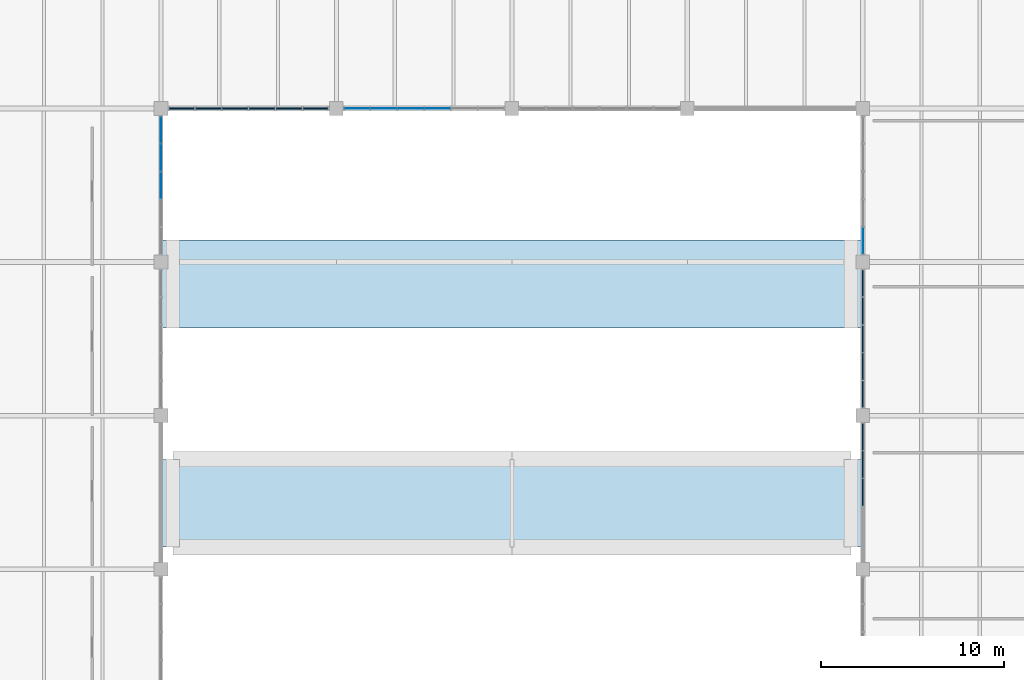
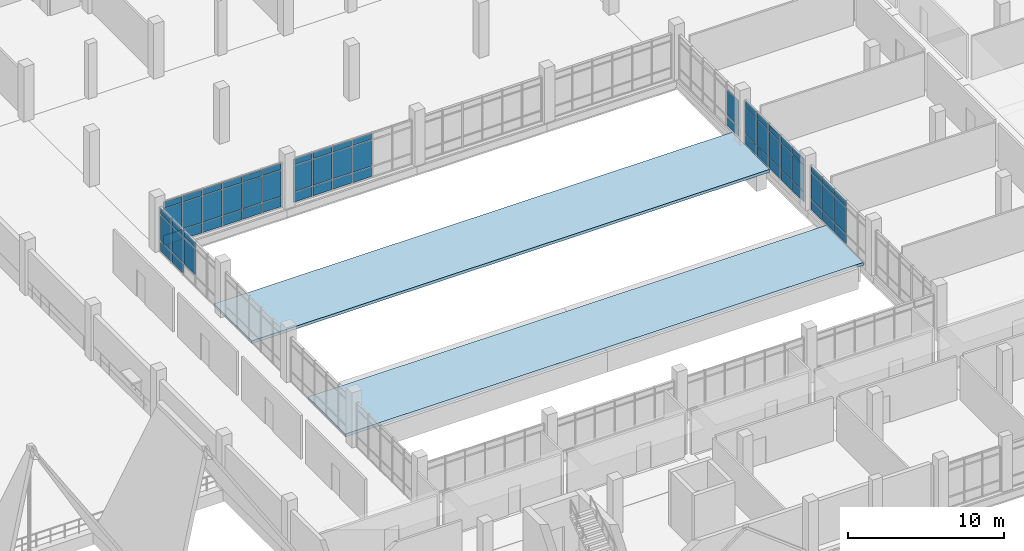
# One storey, part 43 of 86: 64 plates, 2 slabs, 7 elements without a shape of their own.
"""IFC4 building model written with IfcOpenShell, lengths in metres."""

from ifc_helpers import new_model, si_unit, direction, frame, origin, origin_2d, place, context, subcontext, project, spatial, polyline, rectangle, outline, extrude, material, layer, layer_set, type_object, element, aggregate, save


model = new_model("IFC4")

# Units and contexts
model_context = context("Model", 3, precision=1e-05, world=origin(), true_north=direction((0.0, 1.0)))
body_context = subcontext(model_context, "Body", "Model", "MODEL_VIEW")
ifc_project = project(units=[si_unit("LENGTHUNIT", "METRE"), si_unit("AREAUNIT", "SQUARE_METRE"), si_unit("VOLUMEUNIT", "CUBIC_METRE"), si_unit("PLANEANGLEUNIT", "RADIAN"), si_unit("MASSUNIT", "GRAM", prefix="KILO")], contexts=[model_context])

# Site, building, storey
site_placement = place(None, origin())
site = spatial("IfcSite", under=ifc_project, at=site_placement, CompositionType="ELEMENT")
building_placement = place(site_placement, origin())
building = spatial("IfcBuilding", under=site, at=building_placement, Name="Oolite Switchyard Hospital", CompositionType="ELEMENT")
storey_placement = place(building_placement, frame((0.0, 0.0, 13.5)))
storey = spatial("IfcBuildingStorey", under=building, at=storey_placement, Name="L03", CompositionType="ELEMENT", Elevation=13.5)

# Curtain wall, plates
ifc_material_1 = material(Name="Thermally broken aluminum frame with laminated impact glazing", Category="aluminium")
curtain_wall_type_1 = type_object("IfcCurtainWallType", Name="CW-UNIT-84X43", PredefinedType="USERDEFINED", material=ifc_material_1)
curtain_wall_1_placement = place(storey_placement, origin())
curtain_wall_1 = element("IfcCurtainWall", 1, at=curtain_wall_1_placement, inside=storey, type_object=curtain_wall_type_1, Name="L03 Unitised Curtain Wall 345", ObjectType="UNITISED", PredefinedType="USERDEFINED")
ifc_material_2 = material(Name="Insulated fluoropolymer-coated aluminum spandrel panel", Category="aluminium")
ifc_layer_1 = layer(ifc_material_2, 0.054931640625)
ifc_layer_set_1 = layer_set([ifc_layer_1], Name="CW-PNL-SPN55")
plate_type_1 = type_object("IfcPlateType", Name="CW-PNL-SPN55", PredefinedType="CURTAIN_PANEL", material=ifc_layer_set_1)
plate_1_placement = place(storey_placement, frame((182.39990234375, 37.800048828125, 0.0751953125), z_axis=(0.0, 0.0, 1.0), x_axis=(0.0, 1.0, 0.0)))
plate_1 = element("IfcPlate", 2, at=plate_1_placement, type_object=plate_type_1, Name="CW-09 panel 3.1", PredefinedType="CURTAIN_PANEL", context=body_context, shape_type="SweptSolid", body=[
    extrude(rectangle(XDim=1.464111328125, YDim=0.054931640625, at=origin_2d()), origin(), (0.0, 0.0, 1.0), 0.737548828125),
])
plate_2_placement = place(storey_placement, frame((182.39990234375, 37.800048828125, 0.8876953125), z_axis=(0.0, 0.0, 1.0), x_axis=(0.0, 1.0, 0.0)))
plate_2 = element("IfcPlate", 3, at=plate_2_placement, type_object=plate_type_1, Name="CW-09 panel 3.2", PredefinedType="CURTAIN_PANEL", context=body_context, shape_type="SweptSolid", body=[
    extrude(rectangle(XDim=1.464111328125, YDim=0.054931640625, at=origin_2d()), origin(), (0.0, 0.0, 1.0), 2.014892578125),
])
plate_3_placement = place(storey_placement, frame((182.39990234375, 37.800048828125, 2.9775390625), z_axis=(0.0, 0.0, 1.0), x_axis=(0.0, 1.0, 0.0)))
plate_3 = element("IfcPlate", 4, at=plate_3_placement, type_object=plate_type_1, Name="CW-09 panel 3.3", PredefinedType="CURTAIN_PANEL", context=body_context, shape_type="SweptSolid", body=[
    extrude(rectangle(XDim=1.464111328125, YDim=0.054931640625, at=origin_2d()), origin(), (0.0, 0.0, 1.0), 0.4375),
])
plate_4_placement = place(storey_placement, frame((182.39990234375, 39.323974609375, 0.0751953125), z_axis=(0.0, 0.0, 1.0), x_axis=(0.0, 1.0, 0.0)))
plate_4 = element("IfcPlate", 5, at=plate_4_placement, type_object=plate_type_1, Name="CW-09 panel 4.1", PredefinedType="CURTAIN_PANEL", context=body_context, shape_type="SweptSolid", body=[
    extrude(rectangle(XDim=1.464111328125, YDim=0.054931640625, at=origin_2d()), origin(), (0.0, 0.0, 1.0), 0.737548828125),
])
plate_5_placement = place(storey_placement, frame((182.39990234375, 39.323974609375, 0.8876953125), z_axis=(0.0, 0.0, 1.0), x_axis=(0.0, 1.0, 0.0)))
plate_5 = element("IfcPlate", 6, at=plate_5_placement, type_object=plate_type_1, Name="CW-09 panel 4.2", PredefinedType="CURTAIN_PANEL", context=body_context, shape_type="SweptSolid", body=[
    extrude(rectangle(XDim=1.464111328125, YDim=0.054931640625, at=origin_2d()), origin(), (0.0, 0.0, 1.0), 2.014892578125),
])
plate_6_placement = place(storey_placement, frame((182.39990234375, 39.323974609375, 2.9775390625), z_axis=(0.0, 0.0, 1.0), x_axis=(0.0, 1.0, 0.0)))
plate_6 = element("IfcPlate", 7, at=plate_6_placement, type_object=plate_type_1, Name="CW-09 panel 4.3", PredefinedType="CURTAIN_PANEL", context=body_context, shape_type="SweptSolid", body=[
    extrude(rectangle(XDim=1.464111328125, YDim=0.054931640625, at=origin_2d()), origin(), (0.0, 0.0, 1.0), 0.4375),
])
plate_7_placement = place(storey_placement, frame((182.39990234375, 40.8330078125, 0.0751953125), z_axis=(0.0, 0.0, 1.0), x_axis=(0.0, 1.0, 0.0)))
plate_7 = element("IfcPlate", 8, at=plate_7_placement, type_object=plate_type_1, Name="CW-09 panel 5.1", PredefinedType="CURTAIN_PANEL", context=body_context, shape_type="SweptSolid", body=[
    extrude(rectangle(XDim=1.43408203125, YDim=0.054931640625, at=origin_2d()), origin(), (0.0, 0.0, 1.0), 0.737548828125),
])
plate_8_placement = place(storey_placement, frame((182.39990234375, 40.8330078125, 0.8876953125), z_axis=(0.0, 0.0, 1.0), x_axis=(0.0, 1.0, 0.0)))
plate_8 = element("IfcPlate", 9, at=plate_8_placement, type_object=plate_type_1, Name="CW-09 panel 5.2", PredefinedType="CURTAIN_PANEL", context=body_context, shape_type="SweptSolid", body=[
    extrude(rectangle(XDim=1.43408203125, YDim=0.054931640625, at=origin_2d()), origin(), (0.0, 0.0, 1.0), 2.014892578125),
])
plate_9_placement = place(storey_placement, frame((182.39990234375, 40.8330078125, 2.9775390625), z_axis=(0.0, 0.0, 1.0), x_axis=(0.0, 1.0, 0.0)))
plate_9 = element("IfcPlate", 10, at=plate_9_placement, type_object=plate_type_1, Name="CW-09 panel 5.3", PredefinedType="CURTAIN_PANEL", context=body_context, shape_type="SweptSolid", body=[
    extrude(rectangle(XDim=1.43408203125, YDim=0.054931640625, at=origin_2d()), origin(), (0.0, 0.0, 1.0), 0.4375),
])
aggregate(curtain_wall_1, [plate_1, plate_2, plate_3, plate_4, plate_5, plate_6, plate_7, plate_8, plate_9])

curtain_wall_type_2 = type_object("IfcCurtainWallType", Name="CW-UNIT-96X43", PredefinedType="USERDEFINED", material=ifc_material_1)
curtain_wall_2_placement = place(storey_placement, origin())
curtain_wall_2 = element("IfcCurtainWall", 11, at=curtain_wall_2_placement, inside=storey, type_object=curtain_wall_type_2, Name="L03 Unitised Curtain Wall 334", ObjectType="UNITISED", PredefinedType="USERDEFINED")
ifc_layer_2 = layer(ifc_material_2, 0.070068359375)
ifc_layer_set_2 = layer_set([ifc_layer_2], Name="CW-PNL-SPN70")
plate_type_2 = type_object("IfcPlateType", Name="CW-PNL-SPN70", PredefinedType="CURTAIN_PANEL", material=ifc_layer_set_2)
plate_10_placement = place(storey_placement, frame((152.45751953125, 58.800048828125, 0.06005859375), z_axis=(0.0, 0.0, 1.0), x_axis=(-1.0, 0.0, 0.0)))
plate_10 = element("IfcPlate", 12, at=plate_10_placement, type_object=plate_type_2, Name="CW-04 panel 1.1", PredefinedType="CURTAIN_PANEL", context=body_context, shape_type="SweptSolid", body=[
    extrude(rectangle(XDim=1.364990234375, YDim=0.070068359375, at=origin_2d()), origin(), (0.0, 0.0, 1.0), 0.760009765625),
])
plate_11_placement = place(storey_placement, frame((152.45751953125, 58.800048828125, 0.8798828125), z_axis=(0.0, 0.0, 1.0), x_axis=(-1.0, 0.0, 0.0)))
plate_11 = element("IfcPlate", 13, at=plate_11_placement, type_object=plate_type_2, Name="CW-04 panel 1.2", PredefinedType="CURTAIN_PANEL", context=body_context, shape_type="SweptSolid", body=[
    extrude(rectangle(XDim=1.364990234375, YDim=0.070068359375, at=origin_2d()), origin(), (0.0, 0.0, 1.0), 2.030029296875),
])
plate_12_placement = place(storey_placement, frame((152.45751953125, 58.800048828125, 2.969970703125), z_axis=(0.0, 0.0, 1.0), x_axis=(-1.0, 0.0, 0.0)))
plate_12 = element("IfcPlate", 14, at=plate_12_placement, type_object=plate_type_2, Name="CW-04 panel 1.3", PredefinedType="CURTAIN_PANEL", context=body_context, shape_type="SweptSolid", body=[
    extrude(rectangle(XDim=1.364990234375, YDim=0.070068359375, at=origin_2d()), origin(), (0.0, 0.0, 1.0), 0.4599609375),
])
plate_13_placement = place(storey_placement, frame((151.0048828125, 58.800048828125, 0.06005859375), z_axis=(0.0, 0.0, 1.0), x_axis=(-1.0, 0.0, 0.0)))
plate_13 = element("IfcPlate", 15, at=plate_13_placement, type_object=plate_type_2, Name="CW-04 panel 2.1", PredefinedType="CURTAIN_PANEL", context=body_context, shape_type="SweptSolid", body=[
    extrude(rectangle(XDim=1.39990234375, YDim=0.070068359375, at=origin_2d()), origin(), (0.0, 0.0, 1.0), 0.760009765625),
])
plate_14_placement = place(storey_placement, frame((151.0048828125, 58.800048828125, 0.8798828125), z_axis=(0.0, 0.0, 1.0), x_axis=(-1.0, 0.0, 0.0)))
plate_14 = element("IfcPlate", 16, at=plate_14_placement, type_object=plate_type_2, Name="CW-04 panel 2.2", PredefinedType="CURTAIN_PANEL", context=body_context, shape_type="SweptSolid", body=[
    extrude(rectangle(XDim=1.39990234375, YDim=0.070068359375, at=origin_2d()), origin(), (0.0, 0.0, 1.0), 2.030029296875),
])
plate_15_placement = place(storey_placement, frame((151.0048828125, 58.800048828125, 2.969970703125), z_axis=(0.0, 0.0, 1.0), x_axis=(-1.0, 0.0, 0.0)))
plate_15 = element("IfcPlate", 17, at=plate_15_placement, type_object=plate_type_2, Name="CW-04 panel 2.3", PredefinedType="CURTAIN_PANEL", context=body_context, shape_type="SweptSolid", body=[
    extrude(rectangle(XDim=1.39990234375, YDim=0.070068359375, at=origin_2d()), origin(), (0.0, 0.0, 1.0), 0.4599609375),
])
plate_16_placement = place(storey_placement, frame((149.534912109375, 58.800048828125, 0.06005859375), z_axis=(0.0, 0.0, 1.0), x_axis=(-1.0, 0.0, 0.0)))
plate_16 = element("IfcPlate", 18, at=plate_16_placement, type_object=plate_type_2, Name="CW-04 panel 3.1", PredefinedType="CURTAIN_PANEL", context=body_context, shape_type="SweptSolid", body=[
    extrude(rectangle(XDim=1.39990234375, YDim=0.070068359375, at=origin_2d()), origin(), (0.0, 0.0, 1.0), 0.760009765625),
])
plate_17_placement = place(storey_placement, frame((149.534912109375, 58.800048828125, 0.8798828125), z_axis=(0.0, 0.0, 1.0), x_axis=(-1.0, 0.0, 0.0)))
plate_17 = element("IfcPlate", 19, at=plate_17_placement, type_object=plate_type_2, Name="CW-04 panel 3.2", PredefinedType="CURTAIN_PANEL", context=body_context, shape_type="SweptSolid", body=[
    extrude(rectangle(XDim=1.39990234375, YDim=0.070068359375, at=origin_2d()), origin(), (0.0, 0.0, 1.0), 2.030029296875),
])
plate_18_placement = place(storey_placement, frame((149.534912109375, 58.800048828125, 2.969970703125), z_axis=(0.0, 0.0, 1.0), x_axis=(-1.0, 0.0, 0.0)))
plate_18 = element("IfcPlate", 20, at=plate_18_placement, type_object=plate_type_2, Name="CW-04 panel 3.3", PredefinedType="CURTAIN_PANEL", context=body_context, shape_type="SweptSolid", body=[
    extrude(rectangle(XDim=1.39990234375, YDim=0.070068359375, at=origin_2d()), origin(), (0.0, 0.0, 1.0), 0.4599609375),
])
plate_19_placement = place(storey_placement, frame((148.06494140625, 58.800048828125, 0.06005859375), z_axis=(0.0, 0.0, 1.0), x_axis=(-1.0, 0.0, 0.0)))
plate_19 = element("IfcPlate", 21, at=plate_19_placement, type_object=plate_type_2, Name="CW-04 panel 4.1", PredefinedType="CURTAIN_PANEL", context=body_context, shape_type="SweptSolid", body=[
    extrude(rectangle(XDim=1.39990234375, YDim=0.070068359375, at=origin_2d()), origin(), (0.0, 0.0, 1.0), 0.760009765625),
])
plate_20_placement = place(storey_placement, frame((148.06494140625, 58.800048828125, 0.8798828125), z_axis=(0.0, 0.0, 1.0), x_axis=(-1.0, 0.0, 0.0)))
plate_20 = element("IfcPlate", 22, at=plate_20_placement, type_object=plate_type_2, Name="CW-04 panel 4.2", PredefinedType="CURTAIN_PANEL", context=body_context, shape_type="SweptSolid", body=[
    extrude(rectangle(XDim=1.39990234375, YDim=0.070068359375, at=origin_2d()), origin(), (0.0, 0.0, 1.0), 2.030029296875),
])
plate_21_placement = place(storey_placement, frame((148.06494140625, 58.800048828125, 2.969970703125), z_axis=(0.0, 0.0, 1.0), x_axis=(-1.0, 0.0, 0.0)))
plate_21 = element("IfcPlate", 23, at=plate_21_placement, type_object=plate_type_2, Name="CW-04 panel 4.3", PredefinedType="CURTAIN_PANEL", context=body_context, shape_type="SweptSolid", body=[
    extrude(rectangle(XDim=1.39990234375, YDim=0.070068359375, at=origin_2d()), origin(), (0.0, 0.0, 1.0), 0.4599609375),
])
plate_22_placement = place(storey_placement, frame((146.594970703125, 58.800048828125, 0.06005859375), z_axis=(0.0, 0.0, 1.0), x_axis=(-1.0, 0.0, 0.0)))
plate_22 = element("IfcPlate", 24, at=plate_22_placement, type_object=plate_type_2, Name="CW-04 panel 5.1", PredefinedType="CURTAIN_PANEL", context=body_context, shape_type="SweptSolid", body=[
    extrude(rectangle(XDim=1.39990234375, YDim=0.070068359375, at=origin_2d()), origin(), (0.0, 0.0, 1.0), 0.760009765625),
])
plate_23_placement = place(storey_placement, frame((146.594970703125, 58.800048828125, 0.8798828125), z_axis=(0.0, 0.0, 1.0), x_axis=(-1.0, 0.0, 0.0)))
plate_23 = element("IfcPlate", 25, at=plate_23_placement, type_object=plate_type_2, Name="CW-04 panel 5.2", PredefinedType="CURTAIN_PANEL", context=body_context, shape_type="SweptSolid", body=[
    extrude(rectangle(XDim=1.39990234375, YDim=0.070068359375, at=origin_2d()), origin(), (0.0, 0.0, 1.0), 2.030029296875),
])
plate_24_placement = place(storey_placement, frame((146.594970703125, 58.800048828125, 2.969970703125), z_axis=(0.0, 0.0, 1.0), x_axis=(-1.0, 0.0, 0.0)))
plate_24 = element("IfcPlate", 26, at=plate_24_placement, type_object=plate_type_2, Name="CW-04 panel 5.3", PredefinedType="CURTAIN_PANEL", context=body_context, shape_type="SweptSolid", body=[
    extrude(rectangle(XDim=1.39990234375, YDim=0.070068359375, at=origin_2d()), origin(), (0.0, 0.0, 1.0), 0.4599609375),
])
plate_25_placement = place(storey_placement, frame((145.142578125, 58.800048828125, 0.06005859375), z_axis=(0.0, 0.0, 1.0), x_axis=(-1.0, 0.0, 0.0)))
plate_25 = element("IfcPlate", 27, at=plate_25_placement, type_object=plate_type_2, Name="CW-04 panel 6.1", PredefinedType="CURTAIN_PANEL", context=body_context, shape_type="SweptSolid", body=[
    extrude(rectangle(XDim=1.364990234375, YDim=0.070068359375, at=origin_2d()), origin(), (0.0, 0.0, 1.0), 0.760009765625),
])
plate_26_placement = place(storey_placement, frame((145.142578125, 58.800048828125, 0.8798828125), z_axis=(0.0, 0.0, 1.0), x_axis=(-1.0, 0.0, 0.0)))
plate_26 = element("IfcPlate", 28, at=plate_26_placement, type_object=plate_type_2, Name="CW-04 panel 6.2", PredefinedType="CURTAIN_PANEL", context=body_context, shape_type="SweptSolid", body=[
    extrude(rectangle(XDim=1.364990234375, YDim=0.070068359375, at=origin_2d()), origin(), (0.0, 0.0, 1.0), 2.030029296875),
])
plate_27_placement = place(storey_placement, frame((145.142578125, 58.800048828125, 2.969970703125), z_axis=(0.0, 0.0, 1.0), x_axis=(-1.0, 0.0, 0.0)))
plate_27 = element("IfcPlate", 29, at=plate_27_placement, type_object=plate_type_2, Name="CW-04 panel 6.3", PredefinedType="CURTAIN_PANEL", context=body_context, shape_type="SweptSolid", body=[
    extrude(rectangle(XDim=1.364990234375, YDim=0.070068359375, at=origin_2d()), origin(), (0.0, 0.0, 1.0), 0.4599609375),
])
aggregate(curtain_wall_2, [plate_10, plate_11, plate_12, plate_13, plate_14, plate_15, plate_16, plate_17, plate_18, plate_19, plate_20, plate_21, plate_22, plate_23, plate_24, plate_25, plate_26, plate_27])

curtain_wall_3_placement = place(storey_placement, origin())
curtain_wall_3 = element("IfcCurtainWall", 30, at=curtain_wall_3_placement, inside=storey, type_object=curtain_wall_type_1, Name="L03 Unitised Curtain Wall 346", ObjectType="UNITISED", PredefinedType="USERDEFINED")
plate_28_placement = place(storey_placement, frame((182.39990234375, 43.16943359375, 0.06005859375), z_axis=(0.0, 0.0, 1.0), x_axis=(0.0, 1.0, 0.0)))
plate_28 = element("IfcPlate", 31, at=plate_28_placement, type_object=plate_type_2, Name="CW-09 panel 1.1", PredefinedType="CURTAIN_PANEL", context=body_context, shape_type="SweptSolid", body=[
    extrude(rectangle(XDim=1.4189453125, YDim=0.070068359375, at=origin_2d()), origin(), (0.0, 0.0, 1.0), 0.760009765625),
])
plate_29_placement = place(storey_placement, frame((182.39990234375, 43.16943359375, 0.8798828125), z_axis=(0.0, 0.0, 1.0), x_axis=(0.0, 1.0, 0.0)))
plate_29 = element("IfcPlate", 32, at=plate_29_placement, type_object=plate_type_2, Name="CW-09 panel 1.2", PredefinedType="CURTAIN_PANEL", context=body_context, shape_type="SweptSolid", body=[
    extrude(rectangle(XDim=1.4189453125, YDim=0.070068359375, at=origin_2d()), origin(), (0.0, 0.0, 1.0), 2.030029296875),
])
plate_30_placement = place(storey_placement, frame((182.39990234375, 43.16943359375, 2.969970703125), z_axis=(0.0, 0.0, 1.0), x_axis=(0.0, 1.0, 0.0)))
plate_30 = element("IfcPlate", 33, at=plate_30_placement, type_object=plate_type_2, Name="CW-09 panel 1.3", PredefinedType="CURTAIN_PANEL", context=body_context, shape_type="SweptSolid", body=[
    extrude(rectangle(XDim=1.4189453125, YDim=0.070068359375, at=origin_2d()), origin(), (0.0, 0.0, 1.0), 0.4599609375),
])
plate_31_placement = place(storey_placement, frame((182.39990234375, 44.676025390625, 0.06005859375), z_axis=(0.0, 0.0, 1.0), x_axis=(0.0, 1.0, 0.0)))
plate_31 = element("IfcPlate", 34, at=plate_31_placement, type_object=plate_type_2, Name="CW-09 panel 2.1", PredefinedType="CURTAIN_PANEL", context=body_context, shape_type="SweptSolid", body=[
    extrude(rectangle(XDim=1.4541015625, YDim=0.070068359375, at=origin_2d()), origin(), (0.0, 0.0, 1.0), 0.760009765625),
])
plate_32_placement = place(storey_placement, frame((182.39990234375, 44.676025390625, 0.8798828125), z_axis=(0.0, 0.0, 1.0), x_axis=(0.0, 1.0, 0.0)))
plate_32 = element("IfcPlate", 35, at=plate_32_placement, type_object=plate_type_2, Name="CW-09 panel 2.2", PredefinedType="CURTAIN_PANEL", context=body_context, shape_type="SweptSolid", body=[
    extrude(rectangle(XDim=1.4541015625, YDim=0.070068359375, at=origin_2d()), origin(), (0.0, 0.0, 1.0), 2.030029296875),
])
plate_33_placement = place(storey_placement, frame((182.39990234375, 44.676025390625, 2.969970703125), z_axis=(0.0, 0.0, 1.0), x_axis=(0.0, 1.0, 0.0)))
plate_33 = element("IfcPlate", 36, at=plate_33_placement, type_object=plate_type_2, Name="CW-09 panel 2.3", PredefinedType="CURTAIN_PANEL", context=body_context, shape_type="SweptSolid", body=[
    extrude(rectangle(XDim=1.4541015625, YDim=0.070068359375, at=origin_2d()), origin(), (0.0, 0.0, 1.0), 0.4599609375),
])
plate_34_placement = place(storey_placement, frame((182.39990234375, 46.199951171875, 0.06005859375), z_axis=(0.0, 0.0, 1.0), x_axis=(0.0, 1.0, 0.0)))
plate_34 = element("IfcPlate", 37, at=plate_34_placement, type_object=plate_type_2, Name="CW-09 panel 3.1", PredefinedType="CURTAIN_PANEL", context=body_context, shape_type="SweptSolid", body=[
    extrude(rectangle(XDim=1.4541015625, YDim=0.070068359375, at=origin_2d()), origin(), (0.0, 0.0, 1.0), 0.760009765625),
])
plate_35_placement = place(storey_placement, frame((182.39990234375, 46.199951171875, 0.8798828125), z_axis=(0.0, 0.0, 1.0), x_axis=(0.0, 1.0, 0.0)))
plate_35 = element("IfcPlate", 38, at=plate_35_placement, type_object=plate_type_2, Name="CW-09 panel 3.2", PredefinedType="CURTAIN_PANEL", context=body_context, shape_type="SweptSolid", body=[
    extrude(rectangle(XDim=1.4541015625, YDim=0.070068359375, at=origin_2d()), origin(), (0.0, 0.0, 1.0), 2.030029296875),
])
plate_36_placement = place(storey_placement, frame((182.39990234375, 46.199951171875, 2.969970703125), z_axis=(0.0, 0.0, 1.0), x_axis=(0.0, 1.0, 0.0)))
plate_36 = element("IfcPlate", 39, at=plate_36_placement, type_object=plate_type_2, Name="CW-09 panel 3.3", PredefinedType="CURTAIN_PANEL", context=body_context, shape_type="SweptSolid", body=[
    extrude(rectangle(XDim=1.4541015625, YDim=0.070068359375, at=origin_2d()), origin(), (0.0, 0.0, 1.0), 0.4599609375),
])
plate_37_placement = place(storey_placement, frame((182.39990234375, 47.72412109375, 0.06005859375), z_axis=(0.0, 0.0, 1.0), x_axis=(0.0, 1.0, 0.0)))
plate_37 = element("IfcPlate", 40, at=plate_37_placement, type_object=plate_type_2, Name="CW-09 panel 4.1", PredefinedType="CURTAIN_PANEL", context=body_context, shape_type="SweptSolid", body=[
    extrude(rectangle(XDim=1.4541015625, YDim=0.070068359375, at=origin_2d()), origin(), (0.0, 0.0, 1.0), 0.760009765625),
])
plate_38_placement = place(storey_placement, frame((182.39990234375, 47.72412109375, 0.8798828125), z_axis=(0.0, 0.0, 1.0), x_axis=(0.0, 1.0, 0.0)))
plate_38 = element("IfcPlate", 41, at=plate_38_placement, type_object=plate_type_2, Name="CW-09 panel 4.2", PredefinedType="CURTAIN_PANEL", context=body_context, shape_type="SweptSolid", body=[
    extrude(rectangle(XDim=1.4541015625, YDim=0.070068359375, at=origin_2d()), origin(), (0.0, 0.0, 1.0), 2.030029296875),
])
plate_39_placement = place(storey_placement, frame((182.39990234375, 47.72412109375, 2.969970703125), z_axis=(0.0, 0.0, 1.0), x_axis=(0.0, 1.0, 0.0)))
plate_39 = element("IfcPlate", 42, at=plate_39_placement, type_object=plate_type_2, Name="CW-09 panel 4.3", PredefinedType="CURTAIN_PANEL", context=body_context, shape_type="SweptSolid", body=[
    extrude(rectangle(XDim=1.4541015625, YDim=0.070068359375, at=origin_2d()), origin(), (0.0, 0.0, 1.0), 0.4599609375),
])
plate_40_placement = place(storey_placement, frame((182.39990234375, 49.23046875, 0.06005859375), z_axis=(0.0, 0.0, 1.0), x_axis=(0.0, 1.0, 0.0)))
plate_40 = element("IfcPlate", 43, at=plate_40_placement, type_object=plate_type_2, Name="CW-09 panel 5.1", PredefinedType="CURTAIN_PANEL", context=body_context, shape_type="SweptSolid", body=[
    extrude(rectangle(XDim=1.4189453125, YDim=0.070068359375, at=origin_2d()), origin(), (0.0, 0.0, 1.0), 0.760009765625),
])
plate_41_placement = place(storey_placement, frame((182.39990234375, 49.23046875, 0.8798828125), z_axis=(0.0, 0.0, 1.0), x_axis=(0.0, 1.0, 0.0)))
plate_41 = element("IfcPlate", 44, at=plate_41_placement, type_object=plate_type_2, Name="CW-09 panel 5.2", PredefinedType="CURTAIN_PANEL", context=body_context, shape_type="SweptSolid", body=[
    extrude(rectangle(XDim=1.4189453125, YDim=0.070068359375, at=origin_2d()), origin(), (0.0, 0.0, 1.0), 2.030029296875),
])
plate_42_placement = place(storey_placement, frame((182.39990234375, 49.23046875, 2.969970703125), z_axis=(0.0, 0.0, 1.0), x_axis=(0.0, 1.0, 0.0)))
plate_42 = element("IfcPlate", 45, at=plate_42_placement, type_object=plate_type_2, Name="CW-09 panel 5.3", PredefinedType="CURTAIN_PANEL", context=body_context, shape_type="SweptSolid", body=[
    extrude(rectangle(XDim=1.4189453125, YDim=0.070068359375, at=origin_2d()), origin(), (0.0, 0.0, 1.0), 0.4599609375),
])
aggregate(curtain_wall_3, [plate_28, plate_29, plate_30, plate_31, plate_32, plate_33, plate_34, plate_35, plate_36, plate_37, plate_38, plate_39, plate_40, plate_41, plate_42])

curtain_wall_4_placement = place(storey_placement, origin())
curtain_wall_4 = element("IfcCurtainWall", 46, at=curtain_wall_4_placement, inside=storey, type_object=curtain_wall_type_1, Name="L03 Unitised Curtain Wall 347", ObjectType="UNITISED", PredefinedType="USERDEFINED")
ifc_material_3 = material(Name="Laminated hurricane-impact insulated glazing unit", Category="glass")
ifc_layer_3 = layer(ifc_material_3, 0.028076171875)
ifc_layer_set_3 = layer_set([ifc_layer_3], Name="CW-PNL-VIS28")
plate_type_3 = type_object("IfcPlateType", Name="CW-PNL-VIS28", PredefinedType="CURTAIN_PANEL", material=ifc_layer_set_3)
plate_43_placement = place(storey_placement, frame((182.39990234375, 51.57080078125, 0.0751953125), z_axis=(0.0, 0.0, 1.0), x_axis=(0.0, 1.0, 0.0)))
plate_43 = element("IfcPlate", 47, at=plate_43_placement, type_object=plate_type_3, Name="CW-09 panel 1.1", PredefinedType="CURTAIN_PANEL", context=body_context, shape_type="SweptSolid", body=[
    extrude(rectangle(XDim=1.41162109375, YDim=0.028076171875, at=origin_2d()), origin(), (0.0, 0.0, 1.0), 0.737548828125),
])
plate_44_placement = place(storey_placement, frame((182.39990234375, 51.57080078125, 0.8876953125), z_axis=(0.0, 0.0, 1.0), x_axis=(0.0, 1.0, 0.0)))
plate_44 = element("IfcPlate", 48, at=plate_44_placement, type_object=plate_type_3, Name="CW-09 panel 1.2", PredefinedType="CURTAIN_PANEL", context=body_context, shape_type="SweptSolid", body=[
    extrude(rectangle(XDim=1.41162109375, YDim=0.028076171875, at=origin_2d()), origin(), (0.0, 0.0, 1.0), 2.014892578125),
])
aggregate(curtain_wall_4, [plate_43, plate_44])

curtain_wall_5_placement = place(storey_placement, origin())
curtain_wall_5 = element("IfcCurtainWall", 49, at=curtain_wall_5_placement, inside=storey, type_object=curtain_wall_type_2, Name="L03 Unitised Curtain Wall 336", ObjectType="UNITISED", PredefinedType="USERDEFINED")
ifc_layer_4 = layer(ifc_material_3, 0.035888671875)
ifc_layer_set_4 = layer_set([ifc_layer_4], Name="CW-PNL-VIS36")
plate_type_4 = type_object("IfcPlateType", Name="CW-PNL-VIS36", PredefinedType="CURTAIN_PANEL", material=ifc_layer_set_4)
plate_45_placement = place(storey_placement, frame((159.135009765625, 58.800048828125, 0.06005859375), z_axis=(0.0, 0.0, 1.0), x_axis=(-1.0, 0.0, 0.0)))
plate_45 = element("IfcPlate", 50, at=plate_45_placement, type_object=plate_type_4, Name="CW-04 panel 3.1", PredefinedType="CURTAIN_PANEL", context=body_context, shape_type="SweptSolid", body=[
    extrude(rectangle(XDim=1.409912109375, YDim=0.035888671875, at=origin_2d()), origin(), (0.0, 0.0, 1.0), 0.760009765625),
])
plate_46_placement = place(storey_placement, frame((159.135009765625, 58.800048828125, 0.8798828125), z_axis=(0.0, 0.0, 1.0), x_axis=(-1.0, 0.0, 0.0)))
plate_46 = element("IfcPlate", 51, at=plate_46_placement, type_object=plate_type_4, Name="CW-04 panel 3.2", PredefinedType="CURTAIN_PANEL", context=body_context, shape_type="SweptSolid", body=[
    extrude(rectangle(XDim=1.409912109375, YDim=0.035888671875, at=origin_2d()), origin(), (0.0, 0.0, 1.0), 2.030029296875),
])
plate_47_placement = place(storey_placement, frame((159.135009765625, 58.800048828125, 2.969970703125), z_axis=(0.0, 0.0, 1.0), x_axis=(-1.0, 0.0, 0.0)))
plate_47 = element("IfcPlate", 52, at=plate_47_placement, type_object=plate_type_4, Name="CW-04 panel 3.3", PredefinedType="CURTAIN_PANEL", context=body_context, shape_type="SweptSolid", body=[
    extrude(rectangle(XDim=1.409912109375, YDim=0.035888671875, at=origin_2d()), origin(), (0.0, 0.0, 1.0), 0.4599609375),
])
plate_48_placement = place(storey_placement, frame((157.6650390625, 58.800048828125, 0.06005859375), z_axis=(0.0, 0.0, 1.0), x_axis=(-1.0, 0.0, 0.0)))
plate_48 = element("IfcPlate", 53, at=plate_48_placement, type_object=plate_type_4, Name="CW-04 panel 4.1", PredefinedType="CURTAIN_PANEL", context=body_context, shape_type="SweptSolid", body=[
    extrude(rectangle(XDim=1.409912109375, YDim=0.035888671875, at=origin_2d()), origin(), (0.0, 0.0, 1.0), 0.760009765625),
])
plate_49_placement = place(storey_placement, frame((157.6650390625, 58.800048828125, 0.8798828125), z_axis=(0.0, 0.0, 1.0), x_axis=(-1.0, 0.0, 0.0)))
plate_49 = element("IfcPlate", 54, at=plate_49_placement, type_object=plate_type_4, Name="CW-04 panel 4.2", PredefinedType="CURTAIN_PANEL", context=body_context, shape_type="SweptSolid", body=[
    extrude(rectangle(XDim=1.409912109375, YDim=0.035888671875, at=origin_2d()), origin(), (0.0, 0.0, 1.0), 2.030029296875),
])
plate_50_placement = place(storey_placement, frame((157.6650390625, 58.800048828125, 2.969970703125), z_axis=(0.0, 0.0, 1.0), x_axis=(-1.0, 0.0, 0.0)))
plate_50 = element("IfcPlate", 55, at=plate_50_placement, type_object=plate_type_4, Name="CW-04 panel 4.3", PredefinedType="CURTAIN_PANEL", context=body_context, shape_type="SweptSolid", body=[
    extrude(rectangle(XDim=1.409912109375, YDim=0.035888671875, at=origin_2d()), origin(), (0.0, 0.0, 1.0), 0.4599609375),
])
plate_51_placement = place(storey_placement, frame((156.195068359375, 58.800048828125, 0.06005859375), z_axis=(0.0, 0.0, 1.0), x_axis=(-1.0, 0.0, 0.0)))
plate_51 = element("IfcPlate", 56, at=plate_51_placement, type_object=plate_type_4, Name="CW-04 panel 5.1", PredefinedType="CURTAIN_PANEL", context=body_context, shape_type="SweptSolid", body=[
    extrude(rectangle(XDim=1.409912109375, YDim=0.035888671875, at=origin_2d()), origin(), (0.0, 0.0, 1.0), 0.760009765625),
])
plate_52_placement = place(storey_placement, frame((156.195068359375, 58.800048828125, 0.8798828125), z_axis=(0.0, 0.0, 1.0), x_axis=(-1.0, 0.0, 0.0)))
plate_52 = element("IfcPlate", 57, at=plate_52_placement, type_object=plate_type_4, Name="CW-04 panel 5.2", PredefinedType="CURTAIN_PANEL", context=body_context, shape_type="SweptSolid", body=[
    extrude(rectangle(XDim=1.409912109375, YDim=0.035888671875, at=origin_2d()), origin(), (0.0, 0.0, 1.0), 2.030029296875),
])
plate_53_placement = place(storey_placement, frame((156.195068359375, 58.800048828125, 2.969970703125), z_axis=(0.0, 0.0, 1.0), x_axis=(-1.0, 0.0, 0.0)))
plate_53 = element("IfcPlate", 58, at=plate_53_placement, type_object=plate_type_4, Name="CW-04 panel 5.3", PredefinedType="CURTAIN_PANEL", context=body_context, shape_type="SweptSolid", body=[
    extrude(rectangle(XDim=1.409912109375, YDim=0.035888671875, at=origin_2d()), origin(), (0.0, 0.0, 1.0), 0.4599609375),
])
plate_54_placement = place(storey_placement, frame((154.739990234375, 58.800048828125, 0.06005859375), z_axis=(0.0, 0.0, 1.0), x_axis=(-1.0, 0.0, 0.0)))
plate_54 = element("IfcPlate", 59, at=plate_54_placement, type_object=plate_type_4, Name="CW-04 panel 6.1", PredefinedType="CURTAIN_PANEL", context=body_context, shape_type="SweptSolid", body=[
    extrude(rectangle(XDim=1.3798828125, YDim=0.035888671875, at=origin_2d()), origin(), (0.0, 0.0, 1.0), 0.760009765625),
])
plate_55_placement = place(storey_placement, frame((154.739990234375, 58.800048828125, 0.8798828125), z_axis=(0.0, 0.0, 1.0), x_axis=(-1.0, 0.0, 0.0)))
plate_55 = element("IfcPlate", 60, at=plate_55_placement, type_object=plate_type_4, Name="CW-04 panel 6.2", PredefinedType="CURTAIN_PANEL", context=body_context, shape_type="SweptSolid", body=[
    extrude(rectangle(XDim=1.3798828125, YDim=0.035888671875, at=origin_2d()), origin(), (0.0, 0.0, 1.0), 2.030029296875),
])
plate_56_placement = place(storey_placement, frame((154.739990234375, 58.800048828125, 2.969970703125), z_axis=(0.0, 0.0, 1.0), x_axis=(-1.0, 0.0, 0.0)))
plate_56 = element("IfcPlate", 61, at=plate_56_placement, type_object=plate_type_4, Name="CW-04 panel 6.3", PredefinedType="CURTAIN_PANEL", context=body_context, shape_type="SweptSolid", body=[
    extrude(rectangle(XDim=1.3798828125, YDim=0.035888671875, at=origin_2d()), origin(), (0.0, 0.0, 1.0), 0.4599609375),
])
aggregate(curtain_wall_5, [plate_45, plate_46, plate_47, plate_48, plate_49, plate_50, plate_51, plate_52, plate_53, plate_54, plate_55, plate_56])

curtain_wall_6_placement = place(storey_placement, origin())
curtain_wall_6 = element("IfcCurtainWall", 62, at=curtain_wall_6_placement, inside=storey, type_object=curtain_wall_type_1, Name="L03 Unitised Curtain Wall 341", ObjectType="UNITISED", PredefinedType="USERDEFINED")
plate_57_placement = place(storey_placement, frame((144.0, 57.629150390625, 0.0751953125), z_axis=(0.0, 0.0, 1.0), x_axis=(0.0, -1.0, 0.0)))
plate_57 = element("IfcPlate", 63, at=plate_57_placement, type_object=plate_type_4, Name="CW-09 panel 1.1", PredefinedType="CURTAIN_PANEL", context=body_context, shape_type="SweptSolid", body=[
    extrude(rectangle(XDim=1.41162109375, YDim=0.035888671875, at=origin_2d()), origin(), (0.0, 0.0, 1.0), 0.737548828125),
])
plate_58_placement = place(storey_placement, frame((144.0, 57.629150390625, 0.8876953125), z_axis=(0.0, 0.0, 1.0), x_axis=(0.0, -1.0, 0.0)))
plate_58 = element("IfcPlate", 64, at=plate_58_placement, type_object=plate_type_4, Name="CW-09 panel 1.2", PredefinedType="CURTAIN_PANEL", context=body_context, shape_type="SweptSolid", body=[
    extrude(rectangle(XDim=1.41162109375, YDim=0.035888671875, at=origin_2d()), origin(), (0.0, 0.0, 1.0), 2.014892578125),
])
plate_59_placement = place(storey_placement, frame((144.0, 57.629150390625, 2.9775390625), z_axis=(0.0, 0.0, 1.0), x_axis=(0.0, -1.0, 0.0)))
plate_59 = element("IfcPlate", 65, at=plate_59_placement, type_object=plate_type_4, Name="CW-09 panel 1.3", PredefinedType="CURTAIN_PANEL", context=body_context, shape_type="SweptSolid", body=[
    extrude(rectangle(XDim=1.41162109375, YDim=0.035888671875, at=origin_2d()), origin(), (0.0, 0.0, 1.0), 0.4375),
])
plate_60_placement = place(storey_placement, frame((144.0, 56.1240234375, 0.0751953125), z_axis=(0.0, 0.0, 1.0), x_axis=(0.0, -1.0, 0.0)))
plate_60 = element("IfcPlate", 66, at=plate_60_placement, type_object=plate_type_4, Name="CW-09 panel 2.1", PredefinedType="CURTAIN_PANEL", context=body_context, shape_type="SweptSolid", body=[
    extrude(rectangle(XDim=1.448974609375, YDim=0.035888671875, at=origin_2d()), origin(), (0.0, 0.0, 1.0), 0.737548828125),
])
plate_61_placement = place(storey_placement, frame((144.0, 56.1240234375, 0.8876953125), z_axis=(0.0, 0.0, 1.0), x_axis=(0.0, -1.0, 0.0)))
plate_61 = element("IfcPlate", 67, at=plate_61_placement, type_object=plate_type_4, Name="CW-09 panel 2.2", PredefinedType="CURTAIN_PANEL", context=body_context, shape_type="SweptSolid", body=[
    extrude(rectangle(XDim=1.448974609375, YDim=0.035888671875, at=origin_2d()), origin(), (0.0, 0.0, 1.0), 2.014892578125),
])
plate_62_placement = place(storey_placement, frame((144.0, 56.1240234375, 2.9775390625), z_axis=(0.0, 0.0, 1.0), x_axis=(0.0, -1.0, 0.0)))
plate_62 = element("IfcPlate", 68, at=plate_62_placement, type_object=plate_type_4, Name="CW-09 panel 2.3", PredefinedType="CURTAIN_PANEL", context=body_context, shape_type="SweptSolid", body=[
    extrude(rectangle(XDim=1.448974609375, YDim=0.035888671875, at=origin_2d()), origin(), (0.0, 0.0, 1.0), 0.4375),
])
plate_63_placement = place(storey_placement, frame((144.0, 54.60009765625, 0.8876953125), z_axis=(0.0, 0.0, 1.0), x_axis=(0.0, -1.0, 0.0)))
plate_63 = element("IfcPlate", 69, at=plate_63_placement, type_object=plate_type_4, Name="CW-09 panel 3.2", PredefinedType="CURTAIN_PANEL", context=body_context, shape_type="SweptSolid", body=[
    extrude(rectangle(XDim=1.448974609375, YDim=0.035888671875, at=origin_2d()), origin(), (0.0, 0.0, 1.0), 2.014892578125),
])
plate_64_placement = place(storey_placement, frame((144.0, 54.60009765625, 2.9775390625), z_axis=(0.0, 0.0, 1.0), x_axis=(0.0, -1.0, 0.0)))
plate_64 = element("IfcPlate", 70, at=plate_64_placement, type_object=plate_type_4, Name="CW-09 panel 3.3", PredefinedType="CURTAIN_PANEL", context=body_context, shape_type="SweptSolid", body=[
    extrude(rectangle(XDim=1.448974609375, YDim=0.035888671875, at=origin_2d()), origin(), (0.0, 0.0, 1.0), 0.4375),
])
aggregate(curtain_wall_6, [plate_57, plate_58, plate_59, plate_60, plate_61, plate_62, plate_63, plate_64])

# Roof, slabs
ifc_material_4 = material(Name="Concrete C40/50", Category="concrete")
roof_type = type_object("IfcRoofType", Name="ROOF-FLAT", PredefinedType="FLAT_ROOF", material=ifc_material_4)
roof_placement = place(storey_placement, origin())
roof = element("IfcRoof", 71, at=roof_placement, inside=storey, type_object=roof_type, Name="L03 Flat Cool Roof Assembly", PredefinedType="FLAT_ROOF")
ifc_layer_5 = layer(ifc_material_4, 0.219970703125)
ifc_layer_set_5 = layer_set([ifc_layer_5], Name="SLB-ROOF-220")
slab_type = type_object("IfcSlabType", Name="SLB-ROOF-220", PredefinedType="ROOF", material=ifc_layer_set_5)
slab_1_placement = place(storey_placement, frame((0.0, 0.0, -0.219970703125)))
slab_1 = element("IfcSlab", 72, at=slab_1_placement, type_object=slab_type, Name="L03 V6 Slab V6BR1", PredefinedType="ROOF", context=body_context, shape_type="SweptSolid", body=[
    extrude(outline(polyline([(144.050048828125, 34.800048828125), (182.35009765625, 34.800048828125), (182.35009765625, 39.60009765625), (144.050048828125, 39.60009765625), (144.050048828125, 34.800048828125)])), origin(), (0.0, 0.0, 1.0), 0.219970703125),
])
slab_2_placement = place(storey_placement, frame((0.0, 0.0, -0.219970703125)))
slab_2 = element("IfcSlab", 73, at=slab_2_placement, type_object=slab_type, Name="L03 V6 Slab V6BR2", PredefinedType="ROOF", context=body_context, shape_type="SweptSolid", body=[
    extrude(outline(polyline([(144.050048828125, 46.800048828125), (182.35009765625, 46.800048828125), (182.35009765625, 51.60009765625), (144.050048828125, 51.60009765625), (144.050048828125, 46.800048828125)])), origin(), (0.0, 0.0, 1.0), 0.219970703125),
])
aggregate(roof, [slab_1, slab_2])

save(model, "model.ifc")
